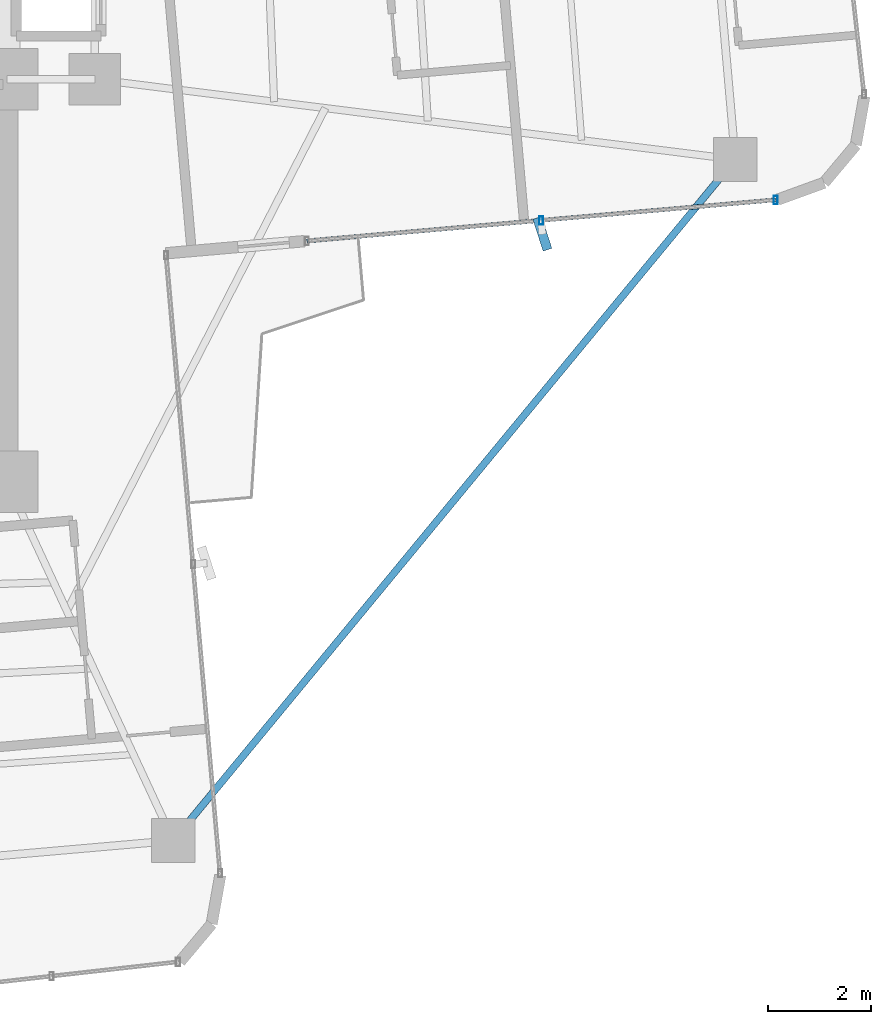
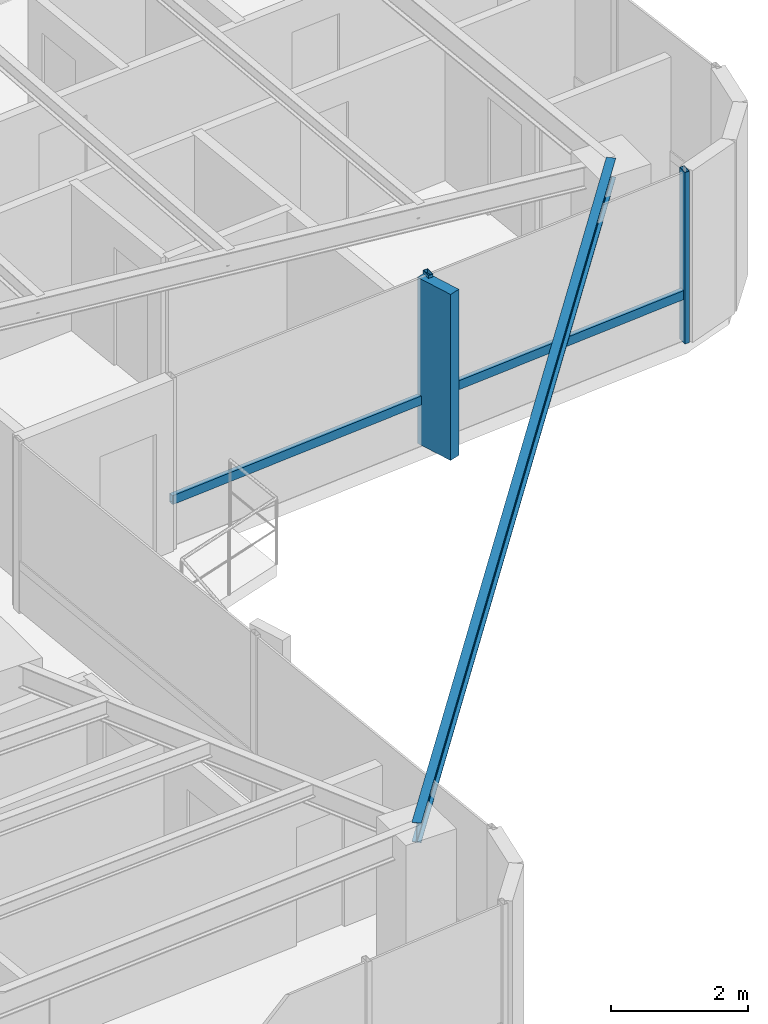
# One storey, part 13 of 24: 5 members, 1 beam, 1 element without a shape of its own.
"""IFC4 building model written with IfcOpenShell, lengths in metres."""

from ifc_helpers import new_model, si_unit, direction, frame, origin, origin_2d, place, context, subcontext, project, spatial, rectangle, hollow_rectangle, i_section, extrude, source, transform, mapped, material, material_profile, profile_set, type_object, element, aggregate, save


model = new_model("IFC4")

# Units and contexts
model_context = context("Model", 3, precision=1e-05, world=origin(), true_north=direction((0.0, 1.0)))
body_context = subcontext(model_context, "Body", "Model", "MODEL_VIEW")
ifc_project = project(units=[si_unit("LENGTHUNIT", "METRE"), si_unit("AREAUNIT", "SQUARE_METRE"), si_unit("VOLUMEUNIT", "CUBIC_METRE"), si_unit("PLANEANGLEUNIT", "RADIAN"), si_unit("MASSUNIT", "GRAM", prefix="KILO")], contexts=[model_context])

# Site, building, storey
site_placement = place(None, origin())
site = spatial("IfcSite", under=ifc_project, at=site_placement, CompositionType="ELEMENT")
building_placement = place(site_placement, origin())
building = spatial("IfcBuilding", under=site, at=building_placement, Name="Sahyath Konkavel Grand Hotel", CompositionType="ELEMENT")
storey_placement = place(building_placement, frame((0.0, 0.0, 167.35009765625)))
storey = spatial("IfcBuildingStorey", under=building, at=storey_placement, Name="L46", CompositionType="ELEMENT", Elevation=167.35009765625)

# Beam
ifc_material_1 = material(Name="Steel E350", Category="steel")
ifc_material_profile_1 = material_profile(ifc_material_1, i_section(OverallWidth=0.139892578125, OverallDepth=0.35009765625, WebThickness=0.008056640625, FlangeThickness=0.01416015625, FilletRadius=0.013916015625, at=origin_2d()), Name="ISMB 350")
ifc_profile_set_1 = profile_set([ifc_material_profile_1], Name="Steel E350")
beam_type = type_object("IfcBeamType", Name="BM-ISMB350", PredefinedType="BEAM", material=ifc_profile_set_1)
shared_shape_1 = source(origin(), body_context, "Body", "SweptSolid", [
    extrude(i_section(OverallWidth=0.139892578125, OverallDepth=0.35009765625, WebThickness=0.008056640625, FlangeThickness=0.01416015625, FilletRadius=0.013916015625, at=origin_2d()), origin(), (0.0, 0.0, 1.0), 17.112548828125),
])
beam_placement = place(storey_placement, frame((17.912841796875, -3.953857421875, 2.875), z_axis=(-0.636437070092, -0.77132863023, 0.0), x_axis=(0.77132863023, -0.636437070092, 0.0)))
element("IfcBeam", 1, at=beam_placement, inside=storey, type_object=beam_type, Name="L46 Re-Entrant Tie Beam SE", PredefinedType="BEAM", context=body_context, shape_type="MappedRepresentation", body=[
    mapped(shared_shape_1, transform((0.0, 0.0, 0.0), scale=1.0)),
])

# Curtain wall, members
ifc_material_2 = material(Name="Anodised Bronze Aluminium & Low-E Glazing", Category="aluminium")
curtain_wall_type = type_object("IfcCurtainWallType", Name="CW-ZONE3", PredefinedType="NOTDEFINED", material=ifc_material_2)
curtain_wall_placement = place(storey_placement, origin())
curtain_wall = element("IfcCurtainWall", 2, at=curtain_wall_placement, inside=storey, type_object=curtain_wall_type, Name="L46 Unitised Curtain Wall F0", PredefinedType="NOTDEFINED")
ifc_material_3 = material(Name="Anodised Bronze Aluminium", Category="aluminium")
ifc_material_profile_2 = material_profile(ifc_material_3, hollow_rectangle(XDim=0.080078125, YDim=0.159912109375, WallThickness=0.006103515625, at=origin_2d()), Name="RHS 160x80x6")
ifc_profile_set_2 = profile_set([ifc_material_profile_2], Name="Anodised Bronze Aluminium")
member_type_1 = type_object("IfcMemberType", Name="CW-MUL-160", PredefinedType="MULLION", material=ifc_profile_set_2)
shared_shape_2 = source(origin(), body_context, "Body", "SweptSolid", [
    extrude(hollow_rectangle(XDim=0.080078125, YDim=0.159912109375, WallThickness=0.006103515625, at=origin_2d()), origin(), (0.0, 0.0, 1.0), 3.0498046875),
])
member_1_placement = place(storey_placement, frame((14.151611328125, -5.135986328125, 0.0), z_axis=(0.0, 0.0, 1.0), x_axis=(1.0, 0.0, 0.0)))
member_1 = element("IfcMember", 3, at=member_1_placement, type_object=member_type_1, Name="L46 Curtain Wall Mullion F0-1", PredefinedType="MULLION", context=body_context, shape_type="MappedRepresentation", body=[
    mapped(shared_shape_2, transform((0.0, 0.0, 0.0), scale=1.0)),
])
member_2_placement = place(storey_placement, frame((18.694091796875, -4.73876953125, 0.0), z_axis=(0.0, 0.0, 1.0), x_axis=(1.0, 0.0, 0.0)))
member_2 = element("IfcMember", 4, at=member_2_placement, type_object=member_type_1, Name="L46 Curtain Wall Mullion F0-2", PredefinedType="MULLION", context=body_context, shape_type="MappedRepresentation", body=[
    mapped(shared_shape_2, transform((0.0, 0.0, 0.0), scale=1.0)),
])
ifc_material_4 = material(Name="Warm Buff Sandstone Cladding on Concrete C50/60", Category="masonry")
ifc_material_profile_3 = material_profile(ifc_material_4, rectangle(XDim=0.179931640625, YDim=0.64990234375, at=origin_2d()), Name="FIN 180x650")
ifc_profile_set_3 = profile_set([ifc_material_profile_3], Name="Warm Buff Sandstone Cladding on Concrete C50/60")
member_type_2 = type_object("IfcMemberType", Name="FIN-SANDSTONE-650", PredefinedType="MULLION", material=ifc_profile_set_3)
shared_shape_3 = source(origin(), body_context, "Body", "SweptSolid", [
    extrude(rectangle(XDim=0.179931640625, YDim=0.64990234375, at=origin_2d()), origin(), (0.0, 0.0, 1.0), 2.9501953125),
])
member_3_placement = place(storey_placement, frame((14.17431640625, -5.39501953125, 0.0498046875), z_axis=(0.0, 0.0, 1.0), x_axis=(0.952022626946, 0.306027642189, 0.0)))
member_3 = element("IfcMember", 5, at=member_3_placement, type_object=member_type_2, Name="L46 Sandstone Vertical Solar Fin FIN F0-1", PredefinedType="MULLION", context=body_context, shape_type="MappedRepresentation", body=[
    mapped(shared_shape_3, transform((0.0, 0.0, 0.0), scale=1.0)),
])
ifc_material_profile_4 = material_profile(ifc_material_3, hollow_rectangle(XDim=0.080078125, YDim=0.159912109375, WallThickness=0.006103515625, at=origin_2d()), Name="RHS 160x80x6")
ifc_profile_set_4 = profile_set([ifc_material_profile_4], Name="Anodised Bronze Aluminium")
member_type_3 = type_object("IfcMemberType", Name="CW-TRN-160", PredefinedType="USERDEFINED", material=ifc_profile_set_4)
shared_shape_4 = source(origin(), body_context, "Body", "SweptSolid", [
    extrude(hollow_rectangle(XDim=0.080078125, YDim=0.159912109375, WallThickness=0.006103515625, at=origin_2d()), origin(), (0.0, 0.0, 1.0), 4.56005859375),
])
member_4_placement = place(storey_placement, frame((9.60888671875, -5.53369140625, 0.849853515625), z_axis=(0.996189590376, 0.087214104516, 0.0), x_axis=(-0.087214104516, 0.996189590376, 0.0)))
member_4 = element("IfcMember", 6, at=member_4_placement, type_object=member_type_3, Name="L46 Curtain Wall Transom F0-0-spandrel", ObjectType="TRANSOM", PredefinedType="USERDEFINED", context=body_context, shape_type="MappedRepresentation", body=[
    mapped(shared_shape_4, transform((0.0, 0.0, 0.0), scale=1.0)),
])
shared_shape_5 = source(origin(), body_context, "Body", "SweptSolid", [
    extrude(hollow_rectangle(XDim=0.080078125, YDim=0.159912109375, WallThickness=0.006103515625, at=origin_2d()), origin(), (0.0, 0.0, 1.0), 4.559814453125),
])
member_5_placement = place(storey_placement, frame((14.151611328125, -5.135986328125, 0.849853515625), z_axis=(0.99619848155, 0.087112486804, 0.0), x_axis=(-0.087112486804, 0.99619848155, 0.0)))
member_5 = element("IfcMember", 7, at=member_5_placement, type_object=member_type_3, Name="L46 Curtain Wall Transom F0-1-spandrel", ObjectType="TRANSOM", PredefinedType="USERDEFINED", context=body_context, shape_type="MappedRepresentation", body=[
    mapped(shared_shape_5, transform((0.0, 0.0, 0.0), scale=1.0)),
])
aggregate(curtain_wall, [member_1, member_3, member_2, member_4, member_5])

save(model, "model.ifc")
